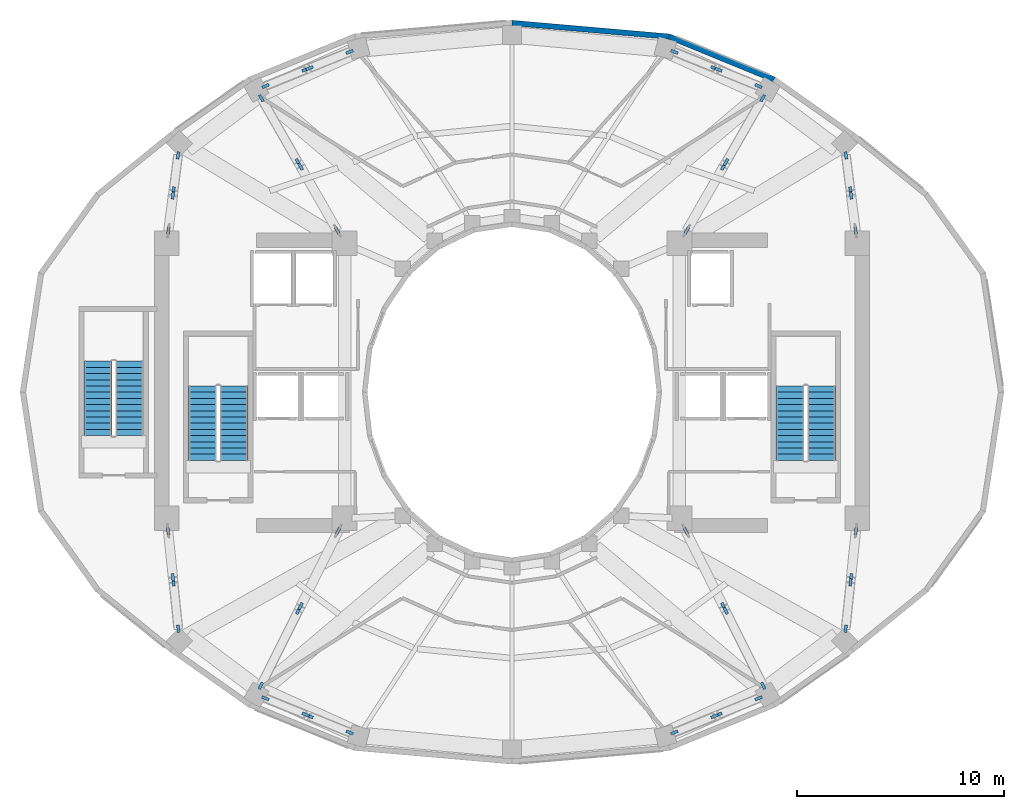
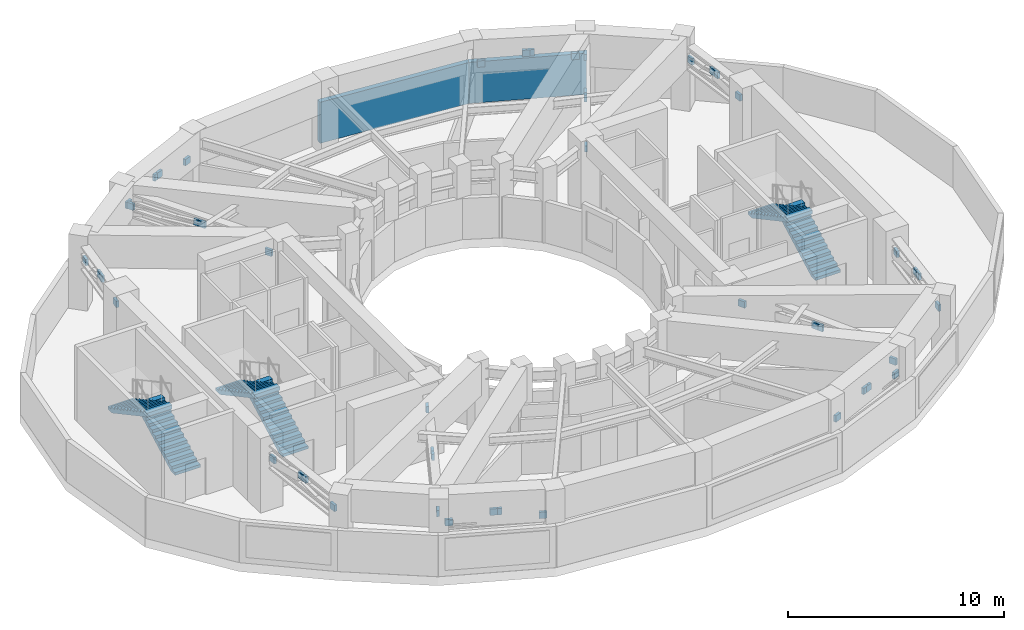
# One storey, part 6 of 10: 48 discrete accessories, 6 stair flights, 2 walls, 3 elements without a shape of their own.
"""IFC4 building model written with IfcOpenShell, lengths in metres."""

import ifcopenshell
import ifcopenshell.guid

model = None  # the IFC model being written
_history = None  # IfcOwnerHistory: only IFC2X3 demands one
_inside = {}  # id of a spatial element -> (the spatial element, [elements in it])
_under = {}  # id of a project, library or spatial element -> (it, [spatial elements below it])
_declared = {}  # id of a project -> (the project, [libraries it declares])
_typed = {}  # id of a type object -> (the type object, [elements of that type])
_made_of = {}  # id of a material, layer set ... -> (it, [elements and type objects made of it])


def new_model(schema):
    """Start an empty IFC model of exactly this schema.

    Asked for "IFC4X3", IfcOpenShell would pick the latest addendum, in which some entities
    have other attributes; the version numbers below select the first issue.
    IFC2X3 requires an IfcOwnerHistory on every rooted entity: one is made here for all.
    """
    global model, _history
    if schema == "IFC4X3":
        model = ifcopenshell.file(schema_version=(4, 3, 0, 0))
    else:
        model = ifcopenshell.file(schema=schema)
    _inside.clear()
    _under.clear()
    _declared.clear()
    _typed.clear()
    _made_of.clear()
    _history = None
    if model.schema == "IFC2X3":
        org = make("IfcOrganization", Name="unknown")
        user = make(
            "IfcPersonAndOrganization",
            ThePerson=make("IfcPerson", FamilyName="unknown"),
            TheOrganization=org,
        )
        app = make(
            "IfcApplication",
            ApplicationDeveloper=org,
            Version="unknown",
            ApplicationFullName="unknown",
            ApplicationIdentifier="unknown",
        )
        _history = make(
            "IfcOwnerHistory",
            OwningUser=user,
            OwningApplication=app,
            ChangeAction="ADDED",
            CreationDate=0,
        )
    return model


def make(cls, **values):
    """One entity of the class cls with the attributes given. An attribute that is None is left unset."""
    return model.create_entity(
        cls, **{name: value for name, value in values.items() if value is not None}
    )


def rooted(cls, **values):
    """An entity with a GlobalId (a new one), such as an element, a storey or a relation."""
    return make(cls, GlobalId=ifcopenshell.guid.new(), OwnerHistory=_history, **values)


def si_unit(unit_type, name, prefix=None):
    """IfcSIUnit, for example si_unit("LENGTHUNIT", "METRE", prefix="MILLI")."""
    return make("IfcSIUnit", UnitType=unit_type, Prefix=prefix, Name=name)


def assignment(units):
    """IfcUnitAssignment: the units of a project."""
    return None if units is None else make("IfcUnitAssignment", Units=units)


def point(xyz):
    """IfcCartesianPoint."""
    return None if xyz is None else make("IfcCartesianPoint", Coordinates=xyz)


def direction(xyz):
    """IfcDirection."""
    return None if xyz is None else make("IfcDirection", DirectionRatios=xyz)


def frame(location, z_axis=None, x_axis=None):
    """IfcAxis2Placement3D, a coordinate frame: its origin and axes. An axis left out is left unset."""
    return make(
        "IfcAxis2Placement3D",
        Location=point(location),
        Axis=direction(z_axis),
        RefDirection=direction(x_axis),
    )


def frame_2d(location, x_axis=None):
    """IfcAxis2Placement2D, a coordinate frame in the plane: its origin and x axis."""
    return make(
        "IfcAxis2Placement2D", Location=point(location), RefDirection=direction(x_axis)
    )


def origin():
    """The frame at (0, 0, 0) with its axes left unset."""
    return frame((0.0, 0.0, 0.0))


def origin_2d():
    """The frame at (0, 0) in the plane with its x axis left unset."""
    return frame_2d((0.0, 0.0))


def place(relative_to, where):
    """IfcLocalPlacement: puts the frame where relative to a parent placement (None: the world)."""
    return make(
        "IfcLocalPlacement", PlacementRelTo=relative_to, RelativePlacement=where
    )


def context(
    kind, dimensions, precision=None, world=None, true_north=None, identifier=None
):
    """IfcGeometricRepresentationContext, for example the 3D "Model" context."""
    return make(
        "IfcGeometricRepresentationContext",
        ContextIdentifier=identifier,
        ContextType=kind,
        CoordinateSpaceDimension=dimensions,
        Precision=precision,
        WorldCoordinateSystem=world,
        TrueNorth=true_north,
    )


def subcontext(parent, identifier, kind, view, scale=None):
    """IfcGeometricRepresentationSubContext, for example "Body" below "Model"."""
    return make(
        "IfcGeometricRepresentationSubContext",
        ContextIdentifier=identifier,
        ContextType=kind,
        ParentContext=parent,
        TargetScale=scale,
        TargetView=view,
    )


def project(units=None, contexts=None):
    """IfcProject with its units and contexts."""
    return rooted(
        "IfcProject",
        Name="project",
        RepresentationContexts=contexts,
        UnitsInContext=assignment(units),
    )


def spatial(cls, under=None, at=None, **own):
    """A site, building, storey or space (cls), placed at a placement, below another one or the project."""
    s = rooted(cls, ObjectPlacement=at, **own)
    if under is not None:
        _under.setdefault(under.id(), (under, []))[1].append(s)
    return s


def polyline(points):
    """IfcPolyline through the points."""
    return make("IfcPolyline", Points=[point(p) for p in points])


def profile(cls, at=None, kind="AREA", **sizes):
    """A parametric profile (cls). Its sizes go by their IFC names, for example OverallWidth=200.0."""
    return make(cls, ProfileType=kind, Position=at, **sizes)


def rectangle(**sizes):
    """IfcRectangleProfileDef."""
    return profile("IfcRectangleProfileDef", **sizes)


def outline(outer, holes=None, kind="AREA"):
    """IfcArbitraryClosedProfileDef: a profile drawn as a closed curve; with holes, ...WithVoids."""
    if holes is None:
        return make("IfcArbitraryClosedProfileDef", ProfileType=kind, OuterCurve=outer)
    return make(
        "IfcArbitraryProfileDefWithVoids",
        ProfileType=kind,
        OuterCurve=outer,
        InnerCurves=holes,
    )


def extrude(swept, where, along, depth):
    """IfcExtrudedAreaSolid: the profile swept, set in the frame where, extruded along a direction by depth."""
    return make(
        "IfcExtrudedAreaSolid",
        SweptArea=swept,
        Position=where,
        ExtrudedDirection=direction(along),
        Depth=depth,
    )


def shape(context_of_items, identifier, shape_type, items):
    """IfcShapeRepresentation: the items that make up one representation, for example the "Body"."""
    return make(
        "IfcShapeRepresentation",
        ContextOfItems=context_of_items,
        RepresentationIdentifier=identifier,
        RepresentationType=shape_type,
        Items=items,
    )


def material(Name=None, Category=None):
    """IfcMaterial."""
    return make("IfcMaterial", Name=Name, Category=Category)


def layer(
    of_material, thickness, ventilated=None, Name=None, Category=None, Priority=None
):
    """IfcMaterialLayer: one layer of a wall or slab, of a material (None: an air gap)."""
    return make(
        "IfcMaterialLayer",
        Material=of_material,
        LayerThickness=thickness,
        IsVentilated=ventilated,
        Name=Name,
        Category=Category,
        Priority=Priority,
    )


def layer_set(layers, Name=None):
    """IfcMaterialLayerSet."""
    return make("IfcMaterialLayerSet", MaterialLayers=layers, LayerSetName=Name)


def made_of(thing, what):
    """Note that an element or type object is made of a material, layer set ...; save() writes the relation."""
    if what is not None:
        _made_of.setdefault(what.id(), (what, []))[1].append(thing)
    return thing


def type_object(cls, material=None, **own):
    """A type object (cls), such as IfcWallType, which elements share."""
    return made_of(rooted(cls, **own), material)


def element(
    cls,
    number,
    at=None,
    inside=None,
    cuts=None,
    type_object=None,
    material=None,
    context=None,
    identifier="Body",
    shape_type=None,
    held_by="IfcProductDefinitionShape",
    body=None,
    shapes=None,
    **own,
):
    """One element of the class cls, such as IfcWall. Its Tag is "e" and its number.

    at: its placement. inside: the storey or other place that contains it. cuts: it is an
    opening in that element (IfcRelVoidsElement). A single representation is given by context,
    identifier, shape_type and body (its items); several are given by shapes. held_by: the class
    of the entity that holds the representations. save() writes the other relations.
    """
    e = rooted(cls, Tag="e%d" % number, ObjectPlacement=at, **own)
    if body is not None:
        shapes = [shape(context, identifier, shape_type, body)]
    if shapes is not None:
        e.Representation = make(held_by, Representations=shapes)
    if inside is not None:
        _inside.setdefault(inside.id(), (inside, []))[1].append(e)
    if cuts is not None:
        rooted(
            "IfcRelVoidsElement", RelatingBuildingElement=cuts, RelatedOpeningElement=e
        )
    if type_object is not None:
        _typed.setdefault(type_object.id(), (type_object, []))[1].append(e)
    return made_of(e, material)


def aggregate(whole, parts):
    """IfcRelAggregates: a whole, such as a stair, and the parts it consists of."""
    return rooted("IfcRelAggregates", RelatingObject=whole, RelatedObjects=parts)


def save(model, path):
    """Write the relations noted so far, then the file.

    IfcRelAggregates (storeys below a building ...), IfcRelContainedInSpatialStructure (elements
    in a storey), IfcRelDefinesByType, IfcRelAssociatesMaterial and IfcRelDeclares: one each for
    every whole, place, type object, material and project.
    """
    for whole, parts in _under.values():
        aggregate(whole, parts)
    for where, things in _inside.values():
        rooted(
            "IfcRelContainedInSpatialStructure",
            RelatedElements=things,
            RelatingStructure=where,
        )
    for kind, things in _typed.values():
        rooted("IfcRelDefinesByType", RelatedObjects=things, RelatingType=kind)
    for what, things in _made_of.values():
        rooted("IfcRelAssociatesMaterial", RelatedObjects=things, RelatingMaterial=what)
    for by, libraries in _declared.values():
        rooted("IfcRelDeclares", RelatingContext=by, RelatedDefinitions=libraries)
    model.write(path)


model = new_model("IFC4")

# Units and contexts
model_context = context("Model", 3, precision=1e-05, world=origin(), true_north=direction((0.0, 1.0)))
body_context = subcontext(model_context, "Body", "Model", "MODEL_VIEW")
ifc_project = project(units=[si_unit("LENGTHUNIT", "METRE"), si_unit("AREAUNIT", "SQUARE_METRE"), si_unit("VOLUMEUNIT", "CUBIC_METRE"), si_unit("PLANEANGLEUNIT", "RADIAN"), si_unit("MASSUNIT", "GRAM", prefix="KILO")], contexts=[model_context])

# Site, building, storey
site_placement = place(None, origin())
site = spatial("IfcSite", under=ifc_project, at=site_placement, CompositionType="ELEMENT")
building_placement = place(site_placement, origin())
building = spatial("IfcBuilding", under=site, at=building_placement, Name="Solvane Sanctuary Tower", CompositionType="ELEMENT")
storey_placement = place(building_placement, frame((0.0, 0.0, 129.0)))
storey = spatial("IfcBuildingStorey", under=building, at=storey_placement, Name="L39", CompositionType="ELEMENT", Elevation=129.0)

# Walls
ifc_material_1 = material(Name="Precast concrete C40/50", Category="concrete")
ifc_layer_1 = layer(ifc_material_1, 0.260009765625, Name="Precast concrete C40/50")
ifc_layer_set_1 = layer_set([ifc_layer_1], Name="Precast concrete C40/50")
wall_type = type_object("IfcWallType", Name="Wall W-EXT-250", PredefinedType="STANDARD", material=ifc_layer_set_1)
wall_1_placement = place(storey_placement, frame((44.675048828125, 38.122314453125, 0.0), z_axis=(0.0, 0.0, 1.0), x_axis=(-0.925369447545, 0.379066465875, 0.0)))
element("IfcWall", 1, at=wall_1_placement, inside=storey, type_object=wall_type, Name="L39 Mechanical Plant Perimeter Wall 04", PredefinedType="STANDARD", context=body_context, shape_type="SweptSolid", body=[
    extrude(rectangle(XDim=5.480224609375, YDim=0.260009765625, at=frame_2d((2.740234375, 0.0))), origin(), (0.0, 0.0, 1.0), 2.320068359375),
])
wall_2_placement = place(storey_placement, frame((39.603759765625, 40.19970703125, 0.0), z_axis=(0.0, 0.0, 1.0), x_axis=(-0.996249584918, 0.086526091739, 0.0)))
element("IfcWall", 2, at=wall_2_placement, inside=storey, type_object=wall_type, Name="L39 Mechanical Plant Perimeter Wall 05", PredefinedType="STANDARD", context=body_context, shape_type="SweptSolid", body=[
    extrude(rectangle(XDim=7.63232421875, YDim=0.260009765625, at=frame_2d((3.816162109375, 0.0))), origin(), (0.0, 0.0, 1.0), 2.320068359375),
])

# Stair, stair flights
ifc_material_2 = material(Name="Concrete C45/55", Category="concrete")
stair_type = type_object("IfcStairType", Name="Stair ST-TOW", PredefinedType="HALF_TURN_STAIR", material=ifc_material_2)
stair_1_placement = place(storey_placement, origin())
stair_1 = element("IfcStair", 3, at=stair_1_placement, inside=storey, type_object=stair_type, Name="L39 Exit Stair ST-1 West Core", PredefinedType="HALF_TURN_STAIR")
stair_flight_type = type_object("IfcStairFlightType", Name="StairFlight SF-TOW", PredefinedType="STRAIGHT", material=ifc_material_2)
stair_flight_1_placement = place(storey_placement, frame((18.544921875, 19.699951171875, 0.0), z_axis=(0.0, 0.0, 1.0), x_axis=(0.0, 1.0, 0.0)))
stair_flight_1 = element("IfcStairFlight", 4, at=stair_flight_1_placement, type_object=stair_flight_type, Name="ST-1 flight 1", NumberOfRisers=13, NumberOfTreads=12, PredefinedType="STRAIGHT", RiserHeight=0.161538462, TreadLength=0.3, context=body_context, shape_type="SweptSolid", body=[
    extrude(outline(polyline([(0.0, 0.0), (0.0, 0.16162109375), (0.300048828125, 0.16162109375), (0.300048828125, 0.322998046875), (0.60009765625, 0.322998046875), (0.60009765625, 0.484619140625), (0.89990234375, 0.484619140625), (0.89990234375, 0.646240234375), (1.199951171875, 0.646240234375), (1.199951171875, 0.8076171875), (1.5, 0.8076171875), (1.5, 0.96923828125), (1.800048828125, 0.96923828125), (1.800048828125, 1.130859375), (2.10009765625, 1.130859375), (2.10009765625, 1.292236328125), (2.39990234375, 1.292236328125), (2.39990234375, 1.453857421875), (2.699951171875, 1.453857421875), (2.699951171875, 1.615478515625), (3.0, 1.615478515625), (3.0, 1.77685546875), (3.300048828125, 1.77685546875), (3.300048828125, 1.9384765625), (3.60009765625, 1.9384765625), (3.60009765625, 2.10009765625), (3.60009765625, 1.734130859375), (0.379638671875, 0.0), (0.0, 0.0)])), frame((0.0, 0.675048828125, 0.0), z_axis=(0.0, -1.0, 0.0), x_axis=(1.0, 0.0, 0.0)), (0.0, 0.0, 1.0), 1.35009765625),
])
stair_flight_2_placement = place(storey_placement, frame((17.034912109375, 23.300048828125, 2.10009765625), z_axis=(0.0, 0.0, 1.0), x_axis=(0.0, -1.0, 0.0)))
stair_flight_2 = element("IfcStairFlight", 5, at=stair_flight_2_placement, type_object=stair_flight_type, Name="ST-1 flight 2", NumberOfRisers=13, NumberOfTreads=12, PredefinedType="STRAIGHT", RiserHeight=0.161538462, TreadLength=0.3, context=body_context, shape_type="SweptSolid", body=[
    extrude(outline(polyline([(0.0, 0.0), (0.0, 0.16162109375), (0.300048828125, 0.16162109375), (0.300048828125, 0.322998046875), (0.60009765625, 0.322998046875), (0.60009765625, 0.484619140625), (0.89990234375, 0.484619140625), (0.89990234375, 0.646240234375), (1.199951171875, 0.646240234375), (1.199951171875, 0.8076171875), (1.5, 0.8076171875), (1.5, 0.96923828125), (1.800048828125, 0.96923828125), (1.800048828125, 1.130859375), (2.10009765625, 1.130859375), (2.10009765625, 1.292236328125), (2.39990234375, 1.292236328125), (2.39990234375, 1.453857421875), (2.699951171875, 1.453857421875), (2.699951171875, 1.615478515625), (3.0, 1.615478515625), (3.0, 1.77685546875), (3.300048828125, 1.77685546875), (3.300048828125, 1.9384765625), (3.60009765625, 1.9384765625), (3.60009765625, 2.10009765625), (3.60009765625, 1.734130859375), (0.379638671875, 0.0), (0.0, 0.0)])), frame((0.0, 0.675048828125, 0.0), z_axis=(0.0, -1.0, 0.0), x_axis=(1.0, 0.0, 0.0)), (0.0, 0.0, 1.0), 1.35009765625),
])
aggregate(stair_1, [stair_flight_1, stair_flight_2])

stair_2_placement = place(storey_placement, origin())
stair_2 = element("IfcStair", 6, at=stair_2_placement, inside=storey, type_object=stair_type, Name="L39 Exit Stair ST-2 East Core", PredefinedType="HALF_TURN_STAIR")
stair_flight_3_placement = place(storey_placement, frame((46.965087890625, 19.699951171875, 0.0), z_axis=(0.0, 0.0, 1.0), x_axis=(0.0, 1.0, 0.0)))
stair_flight_3 = element("IfcStairFlight", 7, at=stair_flight_3_placement, type_object=stair_flight_type, Name="ST-2 flight 1", NumberOfRisers=13, NumberOfTreads=12, PredefinedType="STRAIGHT", RiserHeight=0.161538462, TreadLength=0.3, context=body_context, shape_type="SweptSolid", body=[
    extrude(outline(polyline([(0.0, 0.0), (0.0, 0.16162109375), (0.300048828125, 0.16162109375), (0.300048828125, 0.322998046875), (0.60009765625, 0.322998046875), (0.60009765625, 0.484619140625), (0.89990234375, 0.484619140625), (0.89990234375, 0.646240234375), (1.199951171875, 0.646240234375), (1.199951171875, 0.8076171875), (1.5, 0.8076171875), (1.5, 0.96923828125), (1.800048828125, 0.96923828125), (1.800048828125, 1.130859375), (2.10009765625, 1.130859375), (2.10009765625, 1.292236328125), (2.39990234375, 1.292236328125), (2.39990234375, 1.453857421875), (2.699951171875, 1.453857421875), (2.699951171875, 1.615478515625), (3.0, 1.615478515625), (3.0, 1.77685546875), (3.300048828125, 1.77685546875), (3.300048828125, 1.9384765625), (3.60009765625, 1.9384765625), (3.60009765625, 2.10009765625), (3.60009765625, 1.734130859375), (0.379638671875, 0.0), (0.0, 0.0)])), frame((0.0, 0.675048828125, 0.0), z_axis=(0.0, -1.0, 0.0), x_axis=(1.0, 0.0, 0.0)), (0.0, 0.0, 1.0), 1.35009765625),
])
stair_flight_4_placement = place(storey_placement, frame((45.455078125, 23.300048828125, 2.10009765625), z_axis=(0.0, 0.0, 1.0), x_axis=(0.0, -1.0, 0.0)))
stair_flight_4 = element("IfcStairFlight", 8, at=stair_flight_4_placement, type_object=stair_flight_type, Name="ST-2 flight 2", NumberOfRisers=13, NumberOfTreads=12, PredefinedType="STRAIGHT", RiserHeight=0.161538462, TreadLength=0.3, context=body_context, shape_type="SweptSolid", body=[
    extrude(outline(polyline([(0.0, 0.0), (0.0, 0.16162109375), (0.300048828125, 0.16162109375), (0.300048828125, 0.322998046875), (0.60009765625, 0.322998046875), (0.60009765625, 0.484619140625), (0.89990234375, 0.484619140625), (0.89990234375, 0.646240234375), (1.199951171875, 0.646240234375), (1.199951171875, 0.8076171875), (1.5, 0.8076171875), (1.5, 0.96923828125), (1.800048828125, 0.96923828125), (1.800048828125, 1.130859375), (2.10009765625, 1.130859375), (2.10009765625, 1.292236328125), (2.39990234375, 1.292236328125), (2.39990234375, 1.453857421875), (2.699951171875, 1.453857421875), (2.699951171875, 1.615478515625), (3.0, 1.615478515625), (3.0, 1.77685546875), (3.300048828125, 1.77685546875), (3.300048828125, 1.9384765625), (3.60009765625, 1.9384765625), (3.60009765625, 2.10009765625), (3.60009765625, 1.734130859375), (0.379638671875, 0.0), (0.0, 0.0)])), frame((0.0, 0.675048828125, 0.0), z_axis=(0.0, -1.0, 0.0), x_axis=(1.0, 0.0, 0.0)), (0.0, 0.0, 1.0), 1.35009765625),
])
aggregate(stair_2, [stair_flight_3, stair_flight_4])

stair_3_placement = place(storey_placement, origin())
stair_3 = element("IfcStair", 9, at=stair_3_placement, inside=storey, type_object=stair_type, Name="L39 Exit Stair ST-3 Pilgrim Tower Stair", PredefinedType="HALF_TURN_STAIR")
stair_flight_5_placement = place(storey_placement, frame((13.485107421875, 20.89990234375, 0.0), z_axis=(0.0, 0.0, 1.0), x_axis=(0.0, 1.0, 0.0)))
stair_flight_5 = element("IfcStairFlight", 10, at=stair_flight_5_placement, type_object=stair_flight_type, Name="ST-3 flight 1", NumberOfRisers=13, NumberOfTreads=12, PredefinedType="STRAIGHT", RiserHeight=0.161538462, TreadLength=0.3, context=body_context, shape_type="SweptSolid", body=[
    extrude(outline(polyline([(0.0, 0.0), (0.0, 0.16162109375), (0.300048828125, 0.16162109375), (0.300048828125, 0.322998046875), (0.60009765625, 0.322998046875), (0.60009765625, 0.484619140625), (0.89990234375, 0.484619140625), (0.89990234375, 0.646240234375), (1.199951171875, 0.646240234375), (1.199951171875, 0.8076171875), (1.5, 0.8076171875), (1.5, 0.96923828125), (1.800048828125, 0.96923828125), (1.800048828125, 1.130859375), (2.10009765625, 1.130859375), (2.10009765625, 1.292236328125), (2.39990234375, 1.292236328125), (2.39990234375, 1.453857421875), (2.699951171875, 1.453857421875), (2.699951171875, 1.615478515625), (3.0, 1.615478515625), (3.0, 1.77685546875), (3.300048828125, 1.77685546875), (3.300048828125, 1.9384765625), (3.60009765625, 1.9384765625), (3.60009765625, 2.10009765625), (3.60009765625, 1.734130859375), (0.379638671875, 0.0), (0.0, 0.0)])), frame((0.0, 0.675048828125, 0.0), z_axis=(0.0, -1.0, 0.0), x_axis=(1.0, 0.0, 0.0)), (0.0, 0.0, 1.0), 1.35009765625),
])
stair_flight_6_placement = place(storey_placement, frame((11.97509765625, 24.5, 2.10009765625), z_axis=(0.0, 0.0, 1.0), x_axis=(0.0, -1.0, 0.0)))
stair_flight_6 = element("IfcStairFlight", 11, at=stair_flight_6_placement, type_object=stair_flight_type, Name="ST-3 flight 2", NumberOfRisers=13, NumberOfTreads=12, PredefinedType="STRAIGHT", RiserHeight=0.161538462, TreadLength=0.3, context=body_context, shape_type="SweptSolid", body=[
    extrude(outline(polyline([(0.0, 0.0), (0.0, 0.16162109375), (0.300048828125, 0.16162109375), (0.300048828125, 0.322998046875), (0.60009765625, 0.322998046875), (0.60009765625, 0.484619140625), (0.89990234375, 0.484619140625), (0.89990234375, 0.646240234375), (1.199951171875, 0.646240234375), (1.199951171875, 0.8076171875), (1.5, 0.8076171875), (1.5, 0.96923828125), (1.800048828125, 0.96923828125), (1.800048828125, 1.130859375), (2.10009765625, 1.130859375), (2.10009765625, 1.292236328125), (2.39990234375, 1.292236328125), (2.39990234375, 1.453857421875), (2.699951171875, 1.453857421875), (2.699951171875, 1.615478515625), (3.0, 1.615478515625), (3.0, 1.77685546875), (3.300048828125, 1.77685546875), (3.300048828125, 1.9384765625), (3.60009765625, 1.9384765625), (3.60009765625, 2.10009765625), (3.60009765625, 1.734130859375), (0.379638671875, 0.0), (0.0, 0.0)])), frame((0.0, 0.675048828125, 0.0), z_axis=(0.0, -1.0, 0.0), x_axis=(1.0, 0.0, 0.0)), (0.0, 0.0, 1.0), 1.35009765625),
])
aggregate(stair_3, [stair_flight_5, stair_flight_6])

# Discrete accessories
ifc_material_3 = material(Name="Steel ASTM A572 Grade 50", Category="steel")
ifc_layer_2 = layer(ifc_material_3, 0.360107421875, Name="Steel ASTM A572 Grade 50")
ifc_layer_set_2 = layer_set([ifc_layer_2], Name="Steel ASTM A572 Grade 50")
discrete_accessory_type = type_object("IfcDiscreteAccessoryType", Name="Accessory ACC-GUSSET-BRK", PredefinedType="BRACKET", material=ifc_layer_set_2)
for number, where, z_axis, x_axis, name in (
    (12, (15.3798828125, 30.824462890625, 2.681640625), (0.0, 0.0, 1.0), (0.127064608601, 0.99189444259, 0.0), "L39 Outrigger Truss Diagonal OW1 End Gusset Bracket A"),
    (13, (15.5966796875, 32.515625, 2.9970703125), (0.0, 0.0, 1.0), (0.127064608601, 0.99189444259, 0.0), "L39 Outrigger Truss Diagonal OW1 End Gusset Bracket B"),
    (14, (15.627685546875, 32.759521484375, 2.9970703125), (0.0, 0.0, 1.0), (0.127064608601, 0.99189444259, 0.0), "L39 Outrigger Web Strut OW1 End Gusset Bracket A"),
    (15, (15.844482421875, 34.450439453125, 2.681640625), (0.0, 0.0, 1.0), (0.127064608601, 0.99189444259, 0.0), "L39 Outrigger Web Strut OW1 End Gusset Bracket B"),
    (16, (23.543212890625, 30.82177734375, 2.68017578125), (0.0, 0.0, 1.0), (-0.497731039913, 0.867331431408, 0.0), "L39 Outrigger Truss Diagonal OW2 End Gusset Bracket A"),
    (17, (21.76953125, 33.912353515625, 3.0087890625), (0.0, 0.0, 1.0), (-0.497731039913, 0.867331431408, 0.0), "L39 Outrigger Truss Diagonal OW2 End Gusset Bracket B"),
    (18, (21.645751953125, 34.12841796875, 3.0087890625), (0.0, 0.0, 1.0), (-0.497731039913, 0.867331431408, 0.0), "L39 Outrigger Web Strut OW2 End Gusset Bracket A"),
    (19, (19.8720703125, 37.218994140625, 2.68017578125), (0.0, 0.0, 1.0), (-0.497731039913, 0.867331431408, 0.0), "L39 Outrigger Web Strut OW2 End Gusset Bracket B"),
    (20, (15.365234375, 16.275390625, 2.68115234375), (0.0, 0.0, 1.0), (0.103834130589, -0.994594627637, 0.0), "L39 Outrigger Truss Diagonal OW3 End Gusset Bracket A"),
    (21, (15.598388671875, 14.04150390625, 3.00244140625), (0.0, 0.0, 1.0), (0.103834130589, -0.994594627637, 0.0), "L39 Outrigger Truss Diagonal OW3 End Gusset Bracket B"),
    (22, (15.6240234375, 13.79541015625, 3.00244140625), (0.0, 0.0, 1.0), (0.103834130589, -0.994594627637, 0.0), "L39 Outrigger Web Strut OW3 End Gusset Bracket A"),
    (23, (15.857177734375, 11.561767578125, 2.68115234375), (0.0, 0.0, 1.0), (0.103834130589, -0.994594627637, 0.0), "L39 Outrigger Web Strut OW3 End Gusset Bracket B"),
    (24, (23.5888671875, 16.27783203125, 2.68017578125), (0.0, 0.0, 1.0), (-0.447134741355, -0.894466613728, 0.0), "L39 Outrigger Truss Diagonal OW4 End Gusset Bracket A"),
    (25, (21.7744140625, 12.6474609375, 3.009765625), (0.0, 0.0, 1.0), (-0.447134741355, -0.894466613728, 0.0), "L39 Outrigger Truss Diagonal OW4 End Gusset Bracket B"),
    (26, (21.6630859375, 12.4248046875, 3.009765625), (0.0, 0.0, 1.0), (-0.447134741355, -0.894466613728, 0.0), "L39 Outrigger Web Strut OW4 End Gusset Bracket A"),
    (27, (19.848388671875, 8.79443359375, 2.68017578125), (0.0, 0.0, 1.0), (-0.447134741355, -0.894466613728, 0.0), "L39 Outrigger Web Strut OW4 End Gusset Bracket B"),
    (28, (48.6201171875, 30.824462890625, 2.681640625), (0.0, 0.0, 1.0), (-0.127064608601, 0.99189444259, 0.0), "L39 Outrigger Truss Diagonal OE1 End Gusset Bracket A"),
    (29, (48.4033203125, 32.515625, 2.9970703125), (0.0, 0.0, 1.0), (-0.127064608601, 0.99189444259, 0.0), "L39 Outrigger Truss Diagonal OE1 End Gusset Bracket B"),
    (30, (48.3720703125, 32.759521484375, 2.9970703125), (0.0, 0.0, 1.0), (-0.127064608601, 0.99189444259, 0.0), "L39 Outrigger Web Strut OE1 End Gusset Bracket A"),
    (31, (48.155517578125, 34.450439453125, 2.681640625), (0.0, 0.0, 1.0), (-0.127064608601, 0.99189444259, 0.0), "L39 Outrigger Web Strut OE1 End Gusset Bracket B"),
    (32, (40.456787109375, 30.82177734375, 2.68017578125), (0.0, 0.0, 1.0), (0.497731039913, 0.867331431408, 0.0), "L39 Outrigger Truss Diagonal OE2 End Gusset Bracket A"),
    (33, (42.23046875, 33.912353515625, 3.0087890625), (0.0, 0.0, 1.0), (0.497731039913, 0.867331431408, 0.0), "L39 Outrigger Truss Diagonal OE2 End Gusset Bracket B"),
    (34, (42.354248046875, 34.12841796875, 3.0087890625), (0.0, 0.0, 1.0), (0.497731039913, 0.867331431408, 0.0), "L39 Outrigger Web Strut OE2 End Gusset Bracket A"),
    (35, (44.1279296875, 37.218994140625, 2.68017578125), (0.0, 0.0, 1.0), (0.497731039913, 0.867331431408, 0.0), "L39 Outrigger Web Strut OE2 End Gusset Bracket B"),
    (36, (48.634765625, 16.275390625, 2.68115234375), (0.0, 0.0, 1.0), (-0.103834130589, -0.994594627637, 0.0), "L39 Outrigger Truss Diagonal OE3 End Gusset Bracket A"),
    (37, (48.401611328125, 14.04150390625, 3.00244140625), (0.0, 0.0, 1.0), (-0.103834130589, -0.994594627637, 0.0), "L39 Outrigger Truss Diagonal OE3 End Gusset Bracket B"),
    (38, (48.3759765625, 13.79541015625, 3.00244140625), (0.0, 0.0, 1.0), (-0.103834130589, -0.994594627637, 0.0), "L39 Outrigger Web Strut OE3 End Gusset Bracket A"),
    (39, (48.142822265625, 11.561767578125, 2.68115234375), (0.0, 0.0, 1.0), (-0.103834130589, -0.994594627637, 0.0), "L39 Outrigger Web Strut OE3 End Gusset Bracket B"),
    (40, (40.4111328125, 16.27783203125, 2.68017578125), (0.0, 0.0, 1.0), (0.447134741355, -0.894466613728, 0.0), "L39 Outrigger Truss Diagonal OE4 End Gusset Bracket A"),
    (41, (42.2255859375, 12.6474609375, 3.009765625), (0.0, 0.0, 1.0), (0.447134741355, -0.894466613728, 0.0), "L39 Outrigger Truss Diagonal OE4 End Gusset Bracket B"),
    (42, (42.337158203125, 12.4248046875, 3.009765625), (0.0, 0.0, 1.0), (0.447134741355, -0.894466613728, 0.0), "L39 Outrigger Web Strut OE4 End Gusset Bracket A"),
    (43, (44.151611328125, 8.79443359375, 2.68017578125), (0.0, 0.0, 1.0), (0.447134741355, -0.894466613728, 0.0), "L39 Outrigger Web Strut OE4 End Gusset Bracket B"),
    (44, (20.074951171875, 37.8095703125, 2.37060546875), (0.0, 0.0, 1.0), (0.926462953239, 0.376385967161, 0.0), "L39 Belt Truss Diagonal 06-05 End Gusset Bracket A"),
    (45, (22.013916015625, 38.597412109375, 2.76904296875), (0.0, 0.0, 1.0), (0.926462953239, 0.376385967161, 0.0), "L39 Belt Truss Diagonal 06-05 End Gusset Bracket B"),
    (46, (22.205078125, 38.675048828125, 2.76904296875), (0.0, 0.0, 1.0), (0.926462953239, 0.376385967161, 0.0), "L39 Belt Truss Web Strut 06-05 End Gusset Bracket A"),
    (47, (24.14404296875, 39.462890625, 2.37060546875), (0.0, 0.0, 1.0), (0.926462953239, 0.376385967161, 0.0), "L39 Belt Truss Web Strut 06-05 End Gusset Bracket B"),
    (48, (39.85595703125, 39.462890625, 2.37060546875), (0.0, 0.0, 1.0), (0.926462953239, -0.376385967161, 0.0), "L39 Belt Truss Diagonal 03-02 End Gusset Bracket A"),
    (49, (41.794921875, 38.675048828125, 2.76904296875), (0.0, 0.0, 1.0), (0.926462953239, -0.376385967161, 0.0), "L39 Belt Truss Diagonal 03-02 End Gusset Bracket B"),
    (50, (41.986083984375, 38.597412109375, 2.76904296875), (0.0, 0.0, 1.0), (0.926462953239, -0.376385967161, 0.0), "L39 Belt Truss Web Strut 03-02 End Gusset Bracket A"),
    (51, (43.925048828125, 37.8095703125, 2.37060546875), (0.0, 0.0, 1.0), (0.926462953239, -0.376385967161, 0.0), "L39 Belt Truss Web Strut 03-02 End Gusset Bracket B"),
    (52, (20.074951171875, 8.1904296875, 2.37060546875), (0.0, 0.0, 1.0), (0.926462953239, -0.376385967161, 0.0), "L39 Belt Truss Diagonal 09-10 End Gusset Bracket A"),
    (53, (22.013916015625, 7.402587890625, 2.76904296875), (0.0, 0.0, 1.0), (0.926462953239, -0.376385967161, 0.0), "L39 Belt Truss Diagonal 09-10 End Gusset Bracket B"),
    (54, (22.205078125, 7.324951171875, 2.76904296875), (0.0, 0.0, 1.0), (0.926462953239, -0.376385967161, 0.0), "L39 Belt Truss Web Strut 09-10 End Gusset Bracket A"),
    (55, (24.14404296875, 6.537109375, 2.37060546875), (0.0, 0.0, 1.0), (0.926462953239, -0.376385967161, 0.0), "L39 Belt Truss Web Strut 09-10 End Gusset Bracket B"),
    (56, (39.85595703125, 6.537109375, 2.37060546875), (0.0, 0.0, 1.0), (0.926462953239, 0.376385967161, 0.0), "L39 Belt Truss Diagonal 12-13 End Gusset Bracket A"),
    (57, (41.794921875, 7.324951171875, 2.76904296875), (0.0, 0.0, 1.0), (0.926462953239, 0.376385967161, 0.0), "L39 Belt Truss Diagonal 12-13 End Gusset Bracket B"),
    (58, (41.986083984375, 7.402587890625, 2.76904296875), (0.0, 0.0, 1.0), (0.926462953239, 0.376385967161, 0.0), "L39 Belt Truss Web Strut 12-13 End Gusset Bracket A"),
    (59, (43.925048828125, 8.1904296875, 2.37060546875), (0.0, 0.0, 1.0), (0.926462953239, 0.376385967161, 0.0), "L39 Belt Truss Web Strut 12-13 End Gusset Bracket B"),
):
    element("IfcDiscreteAccessory", number, at=place(storey_placement, frame(where, z_axis=z_axis, x_axis=x_axis)), inside=storey, type_object=discrete_accessory_type, Name=name, PredefinedType="BRACKET", context=body_context, shape_type="SweptSolid", body=[
        extrude(rectangle(XDim=0.360107421875, YDim=0.139892578125, at=origin_2d()), origin(), (0.0, 0.0, 1.0), 0.360107421875),
    ])

save(model, "model.ifc")
